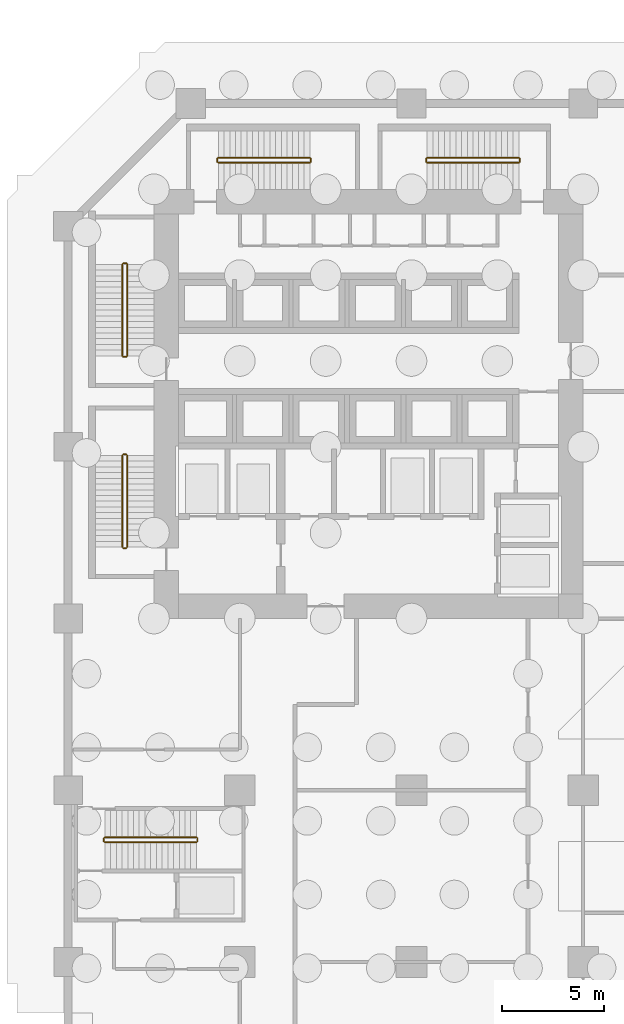
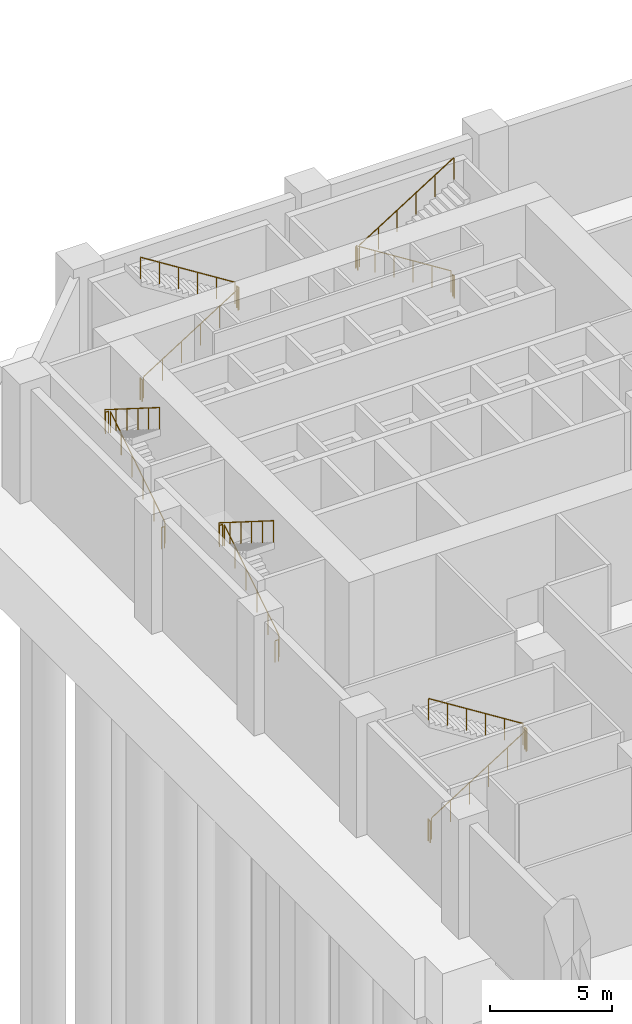
# One storey, part 11 of 13: 20 railings.
"""IFC4 building model written with IfcOpenShell, lengths in metres."""

from ifc_helpers import new_model, si_unit, direction, frame, origin, origin_2d, place, context, subcontext, project, spatial, circle, extrude, material, type_object, element, save


model = new_model("IFC4")

# Units and contexts
model_context = context("Model", 3, precision=1e-05, world=origin(), true_north=direction((0.0, 1.0)))
body_context = subcontext(model_context, "Body", "Model", "MODEL_VIEW")
ifc_project = project(units=[si_unit("LENGTHUNIT", "METRE"), si_unit("AREAUNIT", "SQUARE_METRE"), si_unit("VOLUMEUNIT", "CUBIC_METRE"), si_unit("PLANEANGLEUNIT", "RADIAN"), si_unit("MASSUNIT", "GRAM", prefix="KILO")], contexts=[model_context])

# Site, building, storey
site_placement = place(None, origin())
site = spatial("IfcSite", under=ifc_project, at=site_placement, CompositionType="ELEMENT")
building_placement = place(site_placement, origin())
building = spatial("IfcBuilding", under=site, at=building_placement, Name="Kawkab Arch Medical Tower", CompositionType="ELEMENT")
storey_placement = place(building_placement, frame((0.0, 0.0, -6.0)))
storey = spatial("IfcBuildingStorey", under=building, at=storey_placement, Name="B1", CompositionType="ELEMENT", Elevation=-6.0)

# Railings
ifc_material = material(Name="Stainless steel", Category="steel")
railing_type = type_object("IfcRailingType", Name="Stair guard 1100", PredefinedType="GUARDRAIL", material=ifc_material)
railing_1_placement = place(storey_placement, frame((2.89990234375, -12.35009765625, 0.176513671875)))
element("IfcRailing", 1, at=railing_1_placement, inside=storey, type_object=railing_type, Name="B1 ST1 stair guard 1", PredefinedType="GUARDRAIL", context=body_context, shape_type="SweptSolid", body=[
    extrude(circle(Radius=0.02392578125, at=origin_2d()), frame((0.0, 0.0, 1.076171875), z_axis=(0.0, 0.845997938375, 0.533186166611), x_axis=(-1.0, 0.0, 0.0)), (0.0, 0.0, 1.0), 5.29541015625),
    extrude(circle(Radius=0.02099609375, at=origin_2d()), origin(), (0.0, 0.0, 1.0), 1.052001953125),
    extrude(circle(Radius=0.02099609375, at=origin_2d()), frame((0.0, 0.89599609375, 0.564697265625)), (0.0, 0.0, 1.0), 1.052001953125),
    extrude(circle(Radius=0.02099609375, at=origin_2d()), frame((0.0, 1.7919921875, 1.12939453125)), (0.0, 0.0, 1.0), 1.052001953125),
    extrude(circle(Radius=0.02099609375, at=origin_2d()), frame((0.0, 2.68798828125, 1.694091796875)), (0.0, 0.0, 1.0), 1.052001953125),
    extrude(circle(Radius=0.02099609375, at=origin_2d()), frame((0.0, 3.583984375, 2.2587890625)), (0.0, 0.0, 1.0), 1.052001953125),
    extrude(circle(Radius=0.02099609375, at=origin_2d()), frame((0.0, 4.47998046875, 2.823486328125)), (0.0, 0.0, 1.0), 1.052001953125),
])
railing_2_placement = place(storey_placement, frame((2.85009765625, -7.820068359375, 3.0)))
element("IfcRailing", 2, at=railing_2_placement, inside=storey, type_object=railing_type, Name="B1 ST1 stair guard 2", PredefinedType="GUARDRAIL", context=body_context, shape_type="SweptSolid", body=[
    extrude(circle(Radius=0.02392578125, at=origin_2d()), frame((0.0, 0.0, 1.076171875), z_axis=(-1.0, 0.0, 0.0), x_axis=(0.0, -1.0, 0.0)), (0.0, 0.0, 1.0), 0.150146484375),
    extrude(circle(Radius=0.02099609375, at=origin_2d()), origin(), (0.0, 0.0, 1.0), 1.052001953125),
    extrude(circle(Radius=0.02099609375, at=origin_2d()), frame((-0.150146484375, 0.0, 0.0)), (0.0, 0.0, 1.0), 1.052001953125),
])
railing_3_placement = place(storey_placement, frame((2.64990234375, -7.8701171875, 3.176513671875)))
element("IfcRailing", 3, at=railing_3_placement, inside=storey, type_object=railing_type, Name="B1 ST1 stair guard 3", PredefinedType="GUARDRAIL", context=body_context, shape_type="SweptSolid", body=[
    extrude(circle(Radius=0.02392578125, at=origin_2d()), frame((0.0, 0.0, 1.076171875), z_axis=(0.0, -0.845997938375, 0.533186166611), x_axis=(1.0, 0.0, 0.0)), (0.0, 0.0, 1.0), 5.29541015625),
    extrude(circle(Radius=0.02099609375, at=origin_2d()), origin(), (0.0, 0.0, 1.0), 1.052001953125),
    extrude(circle(Radius=0.02099609375, at=origin_2d()), frame((0.0, -0.89599609375, 0.564697265625)), (0.0, 0.0, 1.0), 1.052001953125),
    extrude(circle(Radius=0.02099609375, at=origin_2d()), frame((0.0, -1.7919921875, 1.12939453125)), (0.0, 0.0, 1.0), 1.052001953125),
    extrude(circle(Radius=0.02099609375, at=origin_2d()), frame((0.0, -2.68798828125, 1.694091796875)), (0.0, 0.0, 1.0), 1.052001953125),
    extrude(circle(Radius=0.02099609375, at=origin_2d()), frame((0.0, -3.583984375, 2.2587890625)), (0.0, 0.0, 1.0), 1.052001953125),
    extrude(circle(Radius=0.02099609375, at=origin_2d()), frame((0.0, -4.47998046875, 2.823486328125)), (0.0, 0.0, 1.0), 1.052001953125),
])
railing_4_placement = place(storey_placement, frame((2.85009765625, -12.39990234375, 0.0)))
element("IfcRailing", 4, at=railing_4_placement, inside=storey, type_object=railing_type, Name="B1 ST1 stair guard 4", PredefinedType="GUARDRAIL", context=body_context, shape_type="SweptSolid", body=[
    extrude(circle(Radius=0.02392578125, at=origin_2d()), frame((0.0, 0.0, 1.076171875), z_axis=(-1.0, 0.0, 0.0), x_axis=(0.0, -1.0, 0.0)), (0.0, 0.0, 1.0), 0.150146484375),
    extrude(circle(Radius=0.02099609375, at=origin_2d()), origin(), (0.0, 0.0, 1.0), 1.052001953125),
    extrude(circle(Radius=0.02099609375, at=origin_2d()), frame((-0.150146484375, 0.0, 0.0)), (0.0, 0.0, 1.0), 1.052001953125),
])
railing_5_placement = place(storey_placement, frame((2.89990234375, -21.699951171875, 0.176513671875)))
element("IfcRailing", 5, at=railing_5_placement, inside=storey, type_object=railing_type, Name="B1 ST2 stair guard 1", PredefinedType="GUARDRAIL", context=body_context, shape_type="SweptSolid", body=[
    extrude(circle(Radius=0.02392578125, at=origin_2d()), frame((0.0, 0.0, 1.076171875), z_axis=(0.0, 0.845997938375, 0.533186166611), x_axis=(-1.0, 0.0, 0.0)), (0.0, 0.0, 1.0), 5.29541015625),
    extrude(circle(Radius=0.02099609375, at=origin_2d()), origin(), (0.0, 0.0, 1.0), 1.052001953125),
    extrude(circle(Radius=0.02099609375, at=origin_2d()), frame((0.0, 0.89599609375, 0.564697265625)), (0.0, 0.0, 1.0), 1.052001953125),
    extrude(circle(Radius=0.02099609375, at=origin_2d()), frame((0.0, 1.7919921875, 1.12939453125)), (0.0, 0.0, 1.0), 1.052001953125),
    extrude(circle(Radius=0.02099609375, at=origin_2d()), frame((0.0, 2.68798828125, 1.694091796875)), (0.0, 0.0, 1.0), 1.052001953125),
    extrude(circle(Radius=0.02099609375, at=origin_2d()), frame((0.0, 3.583984375, 2.2587890625)), (0.0, 0.0, 1.0), 1.052001953125),
    extrude(circle(Radius=0.02099609375, at=origin_2d()), frame((0.0, 4.47998046875, 2.823486328125)), (0.0, 0.0, 1.0), 1.052001953125),
])
railing_6_placement = place(storey_placement, frame((2.85009765625, -17.169921875, 3.0)))
element("IfcRailing", 6, at=railing_6_placement, inside=storey, type_object=railing_type, Name="B1 ST2 stair guard 2", PredefinedType="GUARDRAIL", context=body_context, shape_type="SweptSolid", body=[
    extrude(circle(Radius=0.02392578125, at=origin_2d()), frame((0.0, 0.0, 1.076171875), z_axis=(-1.0, 0.0, 0.0), x_axis=(0.0, -1.0, 0.0)), (0.0, 0.0, 1.0), 0.150146484375),
    extrude(circle(Radius=0.02099609375, at=origin_2d()), origin(), (0.0, 0.0, 1.0), 1.052001953125),
    extrude(circle(Radius=0.02099609375, at=origin_2d()), frame((-0.150146484375, 0.0, 0.0)), (0.0, 0.0, 1.0), 1.052001953125),
])
railing_7_placement = place(storey_placement, frame((2.64990234375, -17.219970703125, 3.176513671875)))
element("IfcRailing", 7, at=railing_7_placement, inside=storey, type_object=railing_type, Name="B1 ST2 stair guard 3", PredefinedType="GUARDRAIL", context=body_context, shape_type="SweptSolid", body=[
    extrude(circle(Radius=0.02392578125, at=origin_2d()), frame((0.0, 0.0, 1.076171875), z_axis=(0.0, -0.845997938375, 0.533186166611), x_axis=(1.0, 0.0, 0.0)), (0.0, 0.0, 1.0), 5.29541015625),
    extrude(circle(Radius=0.02099609375, at=origin_2d()), origin(), (0.0, 0.0, 1.0), 1.052001953125),
    extrude(circle(Radius=0.02099609375, at=origin_2d()), frame((0.0, -0.89599609375, 0.564697265625)), (0.0, 0.0, 1.0), 1.052001953125),
    extrude(circle(Radius=0.02099609375, at=origin_2d()), frame((0.0, -1.7919921875, 1.12939453125)), (0.0, 0.0, 1.0), 1.052001953125),
    extrude(circle(Radius=0.02099609375, at=origin_2d()), frame((0.0, -2.68798828125, 1.694091796875)), (0.0, 0.0, 1.0), 1.052001953125),
    extrude(circle(Radius=0.02099609375, at=origin_2d()), frame((0.0, -3.583984375, 2.2587890625)), (0.0, 0.0, 1.0), 1.052001953125),
    extrude(circle(Radius=0.02099609375, at=origin_2d()), frame((0.0, -4.47998046875, 2.823486328125)), (0.0, 0.0, 1.0), 1.052001953125),
])
railing_8_placement = place(storey_placement, frame((2.85009765625, -21.75, 0.0)))
element("IfcRailing", 8, at=railing_8_placement, inside=storey, type_object=railing_type, Name="B1 ST2 stair guard 4", PredefinedType="GUARDRAIL", context=body_context, shape_type="SweptSolid", body=[
    extrude(circle(Radius=0.02392578125, at=origin_2d()), frame((0.0, 0.0, 1.076171875), z_axis=(-1.0, 0.0, 0.0), x_axis=(0.0, -1.0, 0.0)), (0.0, 0.0, 1.0), 0.150146484375),
    extrude(circle(Radius=0.02099609375, at=origin_2d()), origin(), (0.0, 0.0, 1.0), 1.052001953125),
    extrude(circle(Radius=0.02099609375, at=origin_2d()), frame((-0.150146484375, 0.0, 0.0)), (0.0, 0.0, 1.0), 1.052001953125),
])
railing_9_placement = place(storey_placement, frame((7.35009765625, -2.89990234375, 0.176513671875)))
element("IfcRailing", 9, at=railing_9_placement, inside=storey, type_object=railing_type, Name="B1 ST3 stair guard 1", PredefinedType="GUARDRAIL", context=body_context, shape_type="SweptSolid", body=[
    extrude(circle(Radius=0.02392578125, at=origin_2d()), frame((0.0, 0.0, 1.076171875), z_axis=(0.845997938375, 0.0, 0.533186166611), x_axis=(0.0, 1.0, 0.0)), (0.0, 0.0, 1.0), 5.29541015625),
    extrude(circle(Radius=0.02099609375, at=origin_2d()), origin(), (0.0, 0.0, 1.0), 1.052001953125),
    extrude(circle(Radius=0.02099609375, at=origin_2d()), frame((0.89599609375, 0.0, 0.564697265625)), (0.0, 0.0, 1.0), 1.052001953125),
    extrude(circle(Radius=0.02099609375, at=origin_2d()), frame((1.7919921875, 0.0, 1.12939453125)), (0.0, 0.0, 1.0), 1.052001953125),
    extrude(circle(Radius=0.02099609375, at=origin_2d()), frame((2.68798828125, 0.0, 1.694091796875)), (0.0, 0.0, 1.0), 1.052001953125),
    extrude(circle(Radius=0.02099609375, at=origin_2d()), frame((3.583984375, 0.0, 2.2587890625)), (0.0, 0.0, 1.0), 1.052001953125),
    extrude(circle(Radius=0.02099609375, at=origin_2d()), frame((4.47998046875, 0.0, 2.823486328125)), (0.0, 0.0, 1.0), 1.052001953125),
])
railing_10_placement = place(storey_placement, frame((11.8798828125, -2.85009765625, 3.0)))
element("IfcRailing", 10, at=railing_10_placement, inside=storey, type_object=railing_type, Name="B1 ST3 stair guard 2", PredefinedType="GUARDRAIL", context=body_context, shape_type="SweptSolid", body=[
    extrude(circle(Radius=0.02392578125, at=origin_2d()), frame((0.0, 0.0, 1.076171875), z_axis=(0.0, 1.0, 0.0), x_axis=(-1.0, 0.0, 0.0)), (0.0, 0.0, 1.0), 0.150146484375),
    extrude(circle(Radius=0.02099609375, at=origin_2d()), origin(), (0.0, 0.0, 1.0), 1.052001953125),
    extrude(circle(Radius=0.02099609375, at=origin_2d()), frame((0.0, 0.150146484375, 0.0)), (0.0, 0.0, 1.0), 1.052001953125),
])
railing_11_placement = place(storey_placement, frame((11.830078125, -2.64990234375, 3.176513671875)))
element("IfcRailing", 11, at=railing_11_placement, inside=storey, type_object=railing_type, Name="B1 ST3 stair guard 3", PredefinedType="GUARDRAIL", context=body_context, shape_type="SweptSolid", body=[
    extrude(circle(Radius=0.02392578125, at=origin_2d()), frame((0.0, 0.0, 1.076171875), z_axis=(-0.845997938375, 0.0, 0.533186166611), x_axis=(0.0, -1.0, 0.0)), (0.0, 0.0, 1.0), 5.29541015625),
    extrude(circle(Radius=0.02099609375, at=origin_2d()), origin(), (0.0, 0.0, 1.0), 1.052001953125),
    extrude(circle(Radius=0.02099609375, at=origin_2d()), frame((-0.89599609375, 0.0, 0.564697265625)), (0.0, 0.0, 1.0), 1.052001953125),
    extrude(circle(Radius=0.02099609375, at=origin_2d()), frame((-1.7919921875, 0.0, 1.12939453125)), (0.0, 0.0, 1.0), 1.052001953125),
    extrude(circle(Radius=0.02099609375, at=origin_2d()), frame((-2.68798828125, 0.0, 1.694091796875)), (0.0, 0.0, 1.0), 1.052001953125),
    extrude(circle(Radius=0.02099609375, at=origin_2d()), frame((-3.583984375, 0.0, 2.2587890625)), (0.0, 0.0, 1.0), 1.052001953125),
    extrude(circle(Radius=0.02099609375, at=origin_2d()), frame((-4.47998046875, 0.0, 2.823486328125)), (0.0, 0.0, 1.0), 1.052001953125),
])
railing_12_placement = place(storey_placement, frame((7.300048828125, -2.85009765625, 0.0)))
element("IfcRailing", 12, at=railing_12_placement, inside=storey, type_object=railing_type, Name="B1 ST3 stair guard 4", PredefinedType="GUARDRAIL", context=body_context, shape_type="SweptSolid", body=[
    extrude(circle(Radius=0.02392578125, at=origin_2d()), frame((0.0, 0.0, 1.076171875), z_axis=(0.0, 1.0, 0.0), x_axis=(-1.0, 0.0, 0.0)), (0.0, 0.0, 1.0), 0.150146484375),
    extrude(circle(Radius=0.02099609375, at=origin_2d()), origin(), (0.0, 0.0, 1.0), 1.052001953125),
    extrude(circle(Radius=0.02099609375, at=origin_2d()), frame((0.0, 0.150146484375, 0.0)), (0.0, 0.0, 1.0), 1.052001953125),
])
railing_13_placement = place(storey_placement, frame((22.050048828125, -2.64990234375, 0.176513671875)))
element("IfcRailing", 13, at=railing_13_placement, inside=storey, type_object=railing_type, Name="B1 ST4 stair guard 1", PredefinedType="GUARDRAIL", context=body_context, shape_type="SweptSolid", body=[
    extrude(circle(Radius=0.02392578125, at=origin_2d()), frame((0.0, 0.0, 1.076171875), z_axis=(-0.845997938375, 0.0, 0.533186166611), x_axis=(0.0, -1.0, 0.0)), (0.0, 0.0, 1.0), 5.29541015625),
    extrude(circle(Radius=0.02099609375, at=origin_2d()), origin(), (0.0, 0.0, 1.0), 1.052001953125),
    extrude(circle(Radius=0.02099609375, at=origin_2d()), frame((-0.89599609375, 0.0, 0.564697265625)), (0.0, 0.0, 1.0), 1.052001953125),
    extrude(circle(Radius=0.02099609375, at=origin_2d()), frame((-1.7919921875, 0.0, 1.12939453125)), (0.0, 0.0, 1.0), 1.052001953125),
    extrude(circle(Radius=0.02099609375, at=origin_2d()), frame((-2.68798828125, 0.0, 1.694091796875)), (0.0, 0.0, 1.0), 1.052001953125),
    extrude(circle(Radius=0.02099609375, at=origin_2d()), frame((-3.583984375, 0.0, 2.2587890625)), (0.0, 0.0, 1.0), 1.052001953125),
    extrude(circle(Radius=0.02099609375, at=origin_2d()), frame((-4.47998046875, 0.0, 2.823486328125)), (0.0, 0.0, 1.0), 1.052001953125),
])
railing_14_placement = place(storey_placement, frame((17.52001953125, -2.699951171875, 3.0)))
element("IfcRailing", 14, at=railing_14_placement, inside=storey, type_object=railing_type, Name="B1 ST4 stair guard 2", PredefinedType="GUARDRAIL", context=body_context, shape_type="SweptSolid", body=[
    extrude(circle(Radius=0.02392578125, at=origin_2d()), frame((0.0, 0.0, 1.076171875), z_axis=(0.0, -1.0, 0.0), x_axis=(1.0, 0.0, 0.0)), (0.0, 0.0, 1.0), 0.150146484375),
    extrude(circle(Radius=0.02099609375, at=origin_2d()), origin(), (0.0, 0.0, 1.0), 1.052001953125),
    extrude(circle(Radius=0.02099609375, at=origin_2d()), frame((0.0, -0.150146484375, 0.0)), (0.0, 0.0, 1.0), 1.052001953125),
])
railing_15_placement = place(storey_placement, frame((17.570068359375, -2.89990234375, 3.176513671875)))
element("IfcRailing", 15, at=railing_15_placement, inside=storey, type_object=railing_type, Name="B1 ST4 stair guard 3", PredefinedType="GUARDRAIL", context=body_context, shape_type="SweptSolid", body=[
    extrude(circle(Radius=0.02392578125, at=origin_2d()), frame((0.0, 0.0, 1.076171875), z_axis=(0.845997938375, 0.0, 0.533186166611), x_axis=(0.0, 1.0, 0.0)), (0.0, 0.0, 1.0), 5.29541015625),
    extrude(circle(Radius=0.02099609375, at=origin_2d()), origin(), (0.0, 0.0, 1.0), 1.052001953125),
    extrude(circle(Radius=0.02099609375, at=origin_2d()), frame((0.89599609375, 0.0, 0.564697265625)), (0.0, 0.0, 1.0), 1.052001953125),
    extrude(circle(Radius=0.02099609375, at=origin_2d()), frame((1.7919921875, 0.0, 1.12939453125)), (0.0, 0.0, 1.0), 1.052001953125),
    extrude(circle(Radius=0.02099609375, at=origin_2d()), frame((2.68798828125, 0.0, 1.694091796875)), (0.0, 0.0, 1.0), 1.052001953125),
    extrude(circle(Radius=0.02099609375, at=origin_2d()), frame((3.583984375, 0.0, 2.2587890625)), (0.0, 0.0, 1.0), 1.052001953125),
    extrude(circle(Radius=0.02099609375, at=origin_2d()), frame((4.47998046875, 0.0, 2.823486328125)), (0.0, 0.0, 1.0), 1.052001953125),
])
railing_16_placement = place(storey_placement, frame((22.10009765625, -2.699951171875, 0.0)))
element("IfcRailing", 16, at=railing_16_placement, inside=storey, type_object=railing_type, Name="B1 ST4 stair guard 4", PredefinedType="GUARDRAIL", context=body_context, shape_type="SweptSolid", body=[
    extrude(circle(Radius=0.02392578125, at=origin_2d()), frame((0.0, 0.0, 1.076171875), z_axis=(0.0, -1.0, 0.0), x_axis=(1.0, 0.0, 0.0)), (0.0, 0.0, 1.0), 0.150146484375),
    extrude(circle(Radius=0.02099609375, at=origin_2d()), origin(), (0.0, 0.0, 1.0), 1.052001953125),
    extrude(circle(Radius=0.02099609375, at=origin_2d()), frame((0.0, -0.150146484375, 0.0)), (0.0, 0.0, 1.0), 1.052001953125),
])
railing_17_placement = place(storey_placement, frame((1.800048828125, -36.14990234375, 0.176513671875)))
element("IfcRailing", 17, at=railing_17_placement, inside=storey, type_object=railing_type, Name="B1 ST6 stair guard 1", PredefinedType="GUARDRAIL", context=body_context, shape_type="SweptSolid", body=[
    extrude(circle(Radius=0.02392578125, at=origin_2d()), frame((0.0, 0.0, 1.076171875), z_axis=(0.845997938375, 0.0, 0.533186166611), x_axis=(0.0, 1.0, 0.0)), (0.0, 0.0, 1.0), 5.29541015625),
    extrude(circle(Radius=0.02099609375, at=origin_2d()), origin(), (0.0, 0.0, 1.0), 1.052001953125),
    extrude(circle(Radius=0.02099609375, at=origin_2d()), frame((0.89599609375, 0.0, 0.564697265625)), (0.0, 0.0, 1.0), 1.052001953125),
    extrude(circle(Radius=0.02099609375, at=origin_2d()), frame((1.7919921875, 0.0, 1.12939453125)), (0.0, 0.0, 1.0), 1.052001953125),
    extrude(circle(Radius=0.02099609375, at=origin_2d()), frame((2.68798828125, 0.0, 1.694091796875)), (0.0, 0.0, 1.0), 1.052001953125),
    extrude(circle(Radius=0.02099609375, at=origin_2d()), frame((3.583984375, 0.0, 2.2587890625)), (0.0, 0.0, 1.0), 1.052001953125),
    extrude(circle(Radius=0.02099609375, at=origin_2d()), frame((4.47998046875, 0.0, 2.823486328125)), (0.0, 0.0, 1.0), 1.052001953125),
])
railing_18_placement = place(storey_placement, frame((6.330078125, -36.10009765625, 3.0)))
element("IfcRailing", 18, at=railing_18_placement, inside=storey, type_object=railing_type, Name="B1 ST6 stair guard 2", PredefinedType="GUARDRAIL", context=body_context, shape_type="SweptSolid", body=[
    extrude(circle(Radius=0.02392578125, at=origin_2d()), frame((0.0, 0.0, 1.076171875), z_axis=(0.0, 1.0, 0.0), x_axis=(-1.0, 0.0, 0.0)), (0.0, 0.0, 1.0), 0.150146484375),
    extrude(circle(Radius=0.02099609375, at=origin_2d()), origin(), (0.0, 0.0, 1.0), 1.052001953125),
    extrude(circle(Radius=0.02099609375, at=origin_2d()), frame((0.0, 0.150146484375, 0.0)), (0.0, 0.0, 1.0), 1.052001953125),
])
railing_19_placement = place(storey_placement, frame((6.280029296875, -35.89990234375, 3.176513671875)))
element("IfcRailing", 19, at=railing_19_placement, inside=storey, type_object=railing_type, Name="B1 ST6 stair guard 3", PredefinedType="GUARDRAIL", context=body_context, shape_type="SweptSolid", body=[
    extrude(circle(Radius=0.02392578125, at=origin_2d()), frame((0.0, 0.0, 1.076171875), z_axis=(-0.845997938375, 0.0, 0.533186166611), x_axis=(0.0, -1.0, 0.0)), (0.0, 0.0, 1.0), 5.29541015625),
    extrude(circle(Radius=0.02099609375, at=origin_2d()), origin(), (0.0, 0.0, 1.0), 1.052001953125),
    extrude(circle(Radius=0.02099609375, at=origin_2d()), frame((-0.89599609375, 0.0, 0.564697265625)), (0.0, 0.0, 1.0), 1.052001953125),
    extrude(circle(Radius=0.02099609375, at=origin_2d()), frame((-1.7919921875, 0.0, 1.12939453125)), (0.0, 0.0, 1.0), 1.052001953125),
    extrude(circle(Radius=0.02099609375, at=origin_2d()), frame((-2.68798828125, 0.0, 1.694091796875)), (0.0, 0.0, 1.0), 1.052001953125),
    extrude(circle(Radius=0.02099609375, at=origin_2d()), frame((-3.583984375, 0.0, 2.2587890625)), (0.0, 0.0, 1.0), 1.052001953125),
    extrude(circle(Radius=0.02099609375, at=origin_2d()), frame((-4.47998046875, 0.0, 2.823486328125)), (0.0, 0.0, 1.0), 1.052001953125),
])
railing_20_placement = place(storey_placement, frame((1.75, -36.10009765625, 0.0)))
element("IfcRailing", 20, at=railing_20_placement, inside=storey, type_object=railing_type, Name="B1 ST6 stair guard 4", PredefinedType="GUARDRAIL", context=body_context, shape_type="SweptSolid", body=[
    extrude(circle(Radius=0.02392578125, at=origin_2d()), frame((0.0, 0.0, 1.076171875), z_axis=(0.0, 1.0, 0.0), x_axis=(-1.0, 0.0, 0.0)), (0.0, 0.0, 1.0), 0.150146484375),
    extrude(circle(Radius=0.02099609375, at=origin_2d()), origin(), (0.0, 0.0, 1.0), 1.052001953125),
    extrude(circle(Radius=0.02099609375, at=origin_2d()), frame((0.0, 0.150146484375, 0.0)), (0.0, 0.0, 1.0), 1.052001953125),
])

save(model, "model.ifc")
